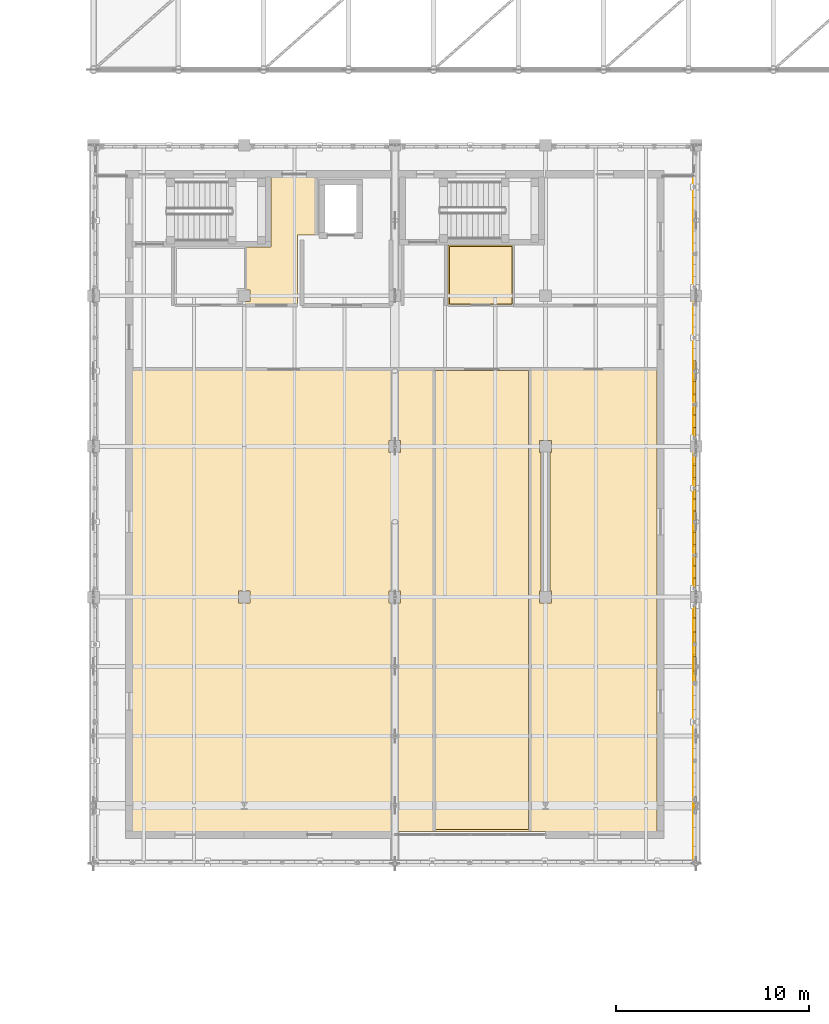
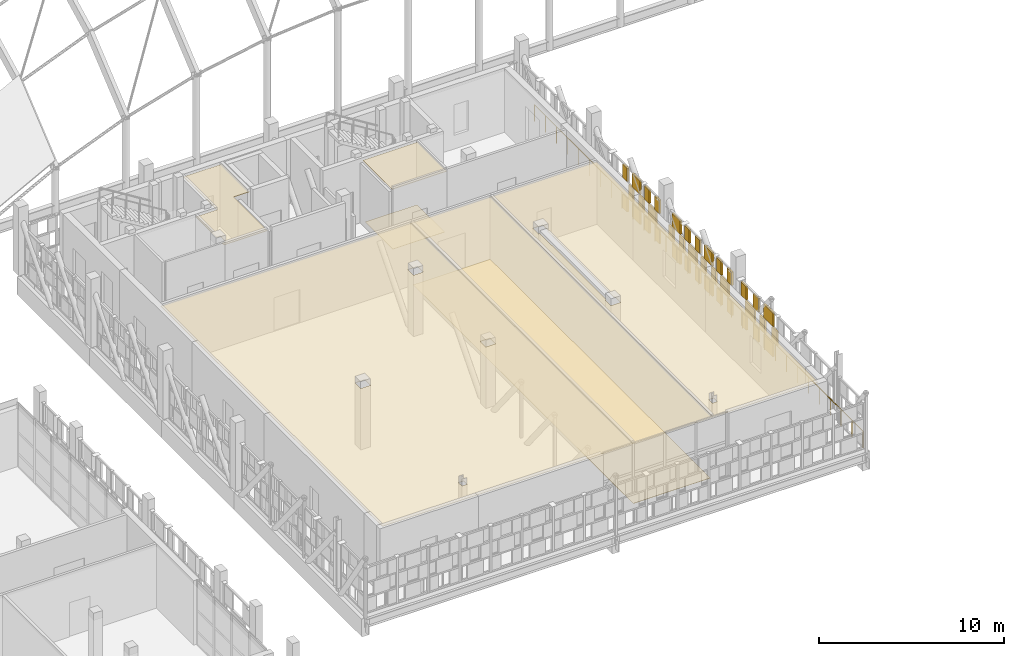
# One storey, part 110 of 119: 45 coverings, 1 railing.
"""IFC4 building model written with IfcOpenShell, lengths in metres."""

from ifc_helpers import new_model, si_unit, direction, frame, origin, origin_2d, place, context, subcontext, project, spatial, polyline, rectangle, circle, outline, extrude, material, layer, layer_set, type_object, element, save


model = new_model("IFC4")

# Units and contexts
model_context = context("Model", 3, precision=1e-05, world=origin(), true_north=direction((0.0, 1.0)))
body_context = subcontext(model_context, "Body", "Model", "MODEL_VIEW")
ifc_project = project(units=[si_unit("LENGTHUNIT", "METRE"), si_unit("AREAUNIT", "SQUARE_METRE"), si_unit("VOLUMEUNIT", "CUBIC_METRE"), si_unit("PLANEANGLEUNIT", "RADIAN"), si_unit("MASSUNIT", "GRAM", prefix="KILO")], contexts=[model_context])

# Site, building, storey
site_placement = place(None, origin())
site = spatial("IfcSite", under=ifc_project, at=site_placement, CompositionType="ELEMENT")
building_placement = place(site_placement, origin())
building = spatial("IfcBuilding", under=site, at=building_placement, Name="Celorna Specialist Clinic", CompositionType="ELEMENT")
storey_placement = place(building_placement, frame((0.0, 0.0, 9.60009765625)))
storey = spatial("IfcBuildingStorey", under=building, at=storey_placement, Name="L02", CompositionType="ELEMENT", Elevation=9.60009765625)

# Railing
ifc_material_1 = material(Name="Stainless steel and laminated glass balustrade", Category="steel")
railing_type = type_object("IfcRailingType", Name="BL-01", PredefinedType="BALUSTRADE", material=ifc_material_1)
railing_placement = place(storey_placement, frame((85.679931640625, 41.280029296875, 0.0)))
element("IfcRailing", 1, at=railing_placement, inside=storey, type_object=railing_type, Name="Lecture Wing Cantilever Veranda L02 perimeter balustrade 7", PredefinedType="BALUSTRADE", context=body_context, shape_type="SweptSolid", body=[
    extrude(circle(Radius=0.02392578125, at=origin_2d()), frame((0.0, 0.0, 1.09619140625), z_axis=(0.0, -1.0, 0.0), x_axis=(1.0, 0.0, 0.0)), (0.0, 0.0, 1.0), 35.4599609375),
    extrude(circle(Radius=0.02099609375, at=origin_2d()), origin(), (0.0, 0.0, 1.0), 1.072021484375),
    extrude(circle(Radius=0.02099609375, at=origin_2d()), frame((0.0, -1.181884765625, 0.0)), (0.0, 0.0, 1.0), 1.072021484375),
    extrude(circle(Radius=0.02099609375, at=origin_2d()), frame((0.0, -2.364013671875, 0.0)), (0.0, 0.0, 1.0), 1.072021484375),
    extrude(circle(Radius=0.02099609375, at=origin_2d()), frame((0.0, -3.5458984375, 0.0)), (0.0, 0.0, 1.0), 1.072021484375),
    extrude(circle(Radius=0.02099609375, at=origin_2d()), frame((0.0, -4.72802734375, 0.0)), (0.0, 0.0, 1.0), 1.072021484375),
    extrude(circle(Radius=0.02099609375, at=origin_2d()), frame((0.0, -5.909912109375, 0.0)), (0.0, 0.0, 1.0), 1.072021484375),
    extrude(circle(Radius=0.02099609375, at=origin_2d()), frame((0.0, -7.092041015625, 0.0)), (0.0, 0.0, 1.0), 1.072021484375),
    extrude(circle(Radius=0.02099609375, at=origin_2d()), frame((0.0, -8.27392578125, 0.0)), (0.0, 0.0, 1.0), 1.072021484375),
    extrude(circle(Radius=0.02099609375, at=origin_2d()), frame((0.0, -9.4560546875, 0.0)), (0.0, 0.0, 1.0), 1.072021484375),
    extrude(circle(Radius=0.02099609375, at=origin_2d()), frame((0.0, -10.637939453125, 0.0)), (0.0, 0.0, 1.0), 1.072021484375),
    extrude(circle(Radius=0.02099609375, at=origin_2d()), frame((0.0, -11.820068359375, 0.0)), (0.0, 0.0, 1.0), 1.072021484375),
    extrude(circle(Radius=0.02099609375, at=origin_2d()), frame((0.0, -13.001953125, 0.0)), (0.0, 0.0, 1.0), 1.072021484375),
    extrude(circle(Radius=0.02099609375, at=origin_2d()), frame((0.0, -14.18408203125, 0.0)), (0.0, 0.0, 1.0), 1.072021484375),
    extrude(circle(Radius=0.02099609375, at=origin_2d()), frame((0.0, -15.365966796875, 0.0)), (0.0, 0.0, 1.0), 1.072021484375),
    extrude(circle(Radius=0.02099609375, at=origin_2d()), frame((0.0, -16.548095703125, 0.0)), (0.0, 0.0, 1.0), 1.072021484375),
    extrude(circle(Radius=0.02099609375, at=origin_2d()), frame((0.0, -17.72998046875, 0.0)), (0.0, 0.0, 1.0), 1.072021484375),
    extrude(circle(Radius=0.02099609375, at=origin_2d()), frame((0.0, -18.911865234375, 0.0)), (0.0, 0.0, 1.0), 1.072021484375),
    extrude(circle(Radius=0.02099609375, at=origin_2d()), frame((0.0, -20.093994140625, 0.0)), (0.0, 0.0, 1.0), 1.072021484375),
    extrude(circle(Radius=0.02099609375, at=origin_2d()), frame((0.0, -21.27587890625, 0.0)), (0.0, 0.0, 1.0), 1.072021484375),
    extrude(circle(Radius=0.02099609375, at=origin_2d()), frame((0.0, -22.4580078125, 0.0)), (0.0, 0.0, 1.0), 1.072021484375),
    extrude(circle(Radius=0.02099609375, at=origin_2d()), frame((0.0, -23.639892578125, 0.0)), (0.0, 0.0, 1.0), 1.072021484375),
    extrude(circle(Radius=0.02099609375, at=origin_2d()), frame((0.0, -24.822021484375, 0.0)), (0.0, 0.0, 1.0), 1.072021484375),
    extrude(circle(Radius=0.02099609375, at=origin_2d()), frame((0.0, -26.00390625, 0.0)), (0.0, 0.0, 1.0), 1.072021484375),
    extrude(circle(Radius=0.02099609375, at=origin_2d()), frame((0.0, -27.18603515625, 0.0)), (0.0, 0.0, 1.0), 1.072021484375),
    extrude(circle(Radius=0.02099609375, at=origin_2d()), frame((0.0, -28.367919921875, 0.0)), (0.0, 0.0, 1.0), 1.072021484375),
    extrude(circle(Radius=0.02099609375, at=origin_2d()), frame((0.0, -29.550048828125, 0.0)), (0.0, 0.0, 1.0), 1.072021484375),
    extrude(circle(Radius=0.02099609375, at=origin_2d()), frame((0.0, -30.73193359375, 0.0)), (0.0, 0.0, 1.0), 1.072021484375),
    extrude(circle(Radius=0.02099609375, at=origin_2d()), frame((0.0, -31.9140625, 0.0)), (0.0, 0.0, 1.0), 1.072021484375),
    extrude(circle(Radius=0.02099609375, at=origin_2d()), frame((0.0, -33.095947265625, 0.0)), (0.0, 0.0, 1.0), 1.072021484375),
    extrude(circle(Radius=0.02099609375, at=origin_2d()), frame((0.0, -34.278076171875, 0.0)), (0.0, 0.0, 1.0), 1.072021484375),
    extrude(circle(Radius=0.02099609375, at=origin_2d()), frame((0.0, -35.4599609375, 0.0)), (0.0, 0.0, 1.0), 1.072021484375),
])

# Coverings
ifc_material_2 = material(Name="Hygienic acoustic mineral-fibre ceiling")
ifc_layer_1 = layer(ifc_material_2, 0.030029296875, Name="Hygienic acoustic mineral-fibre ceiling")
ifc_layer_set_1 = layer_set([ifc_layer_1], Name="Hygienic acoustic mineral-fibre ceiling")
covering_type_1 = type_object("IfcCoveringType", Name="CE-01", PredefinedType="CEILING", material=ifc_layer_set_1)
covering_1_placement = place(storey_placement, frame((0.0, 0.0, 4.02978515625)))
element("IfcCovering", 2, at=covering_1_placement, inside=storey, type_object=covering_type_1, Name="Acoustic ceiling L02-065", PredefinedType="CEILING", context=body_context, shape_type="SweptSolid", body=[
    extrude(outline(polyline([(72.2548828125, 31.31494140625), (72.2548828125, 7.375), (56.625, 7.375), (56.625, 31.31494140625), (72.2548828125, 31.31494140625)]), holes=[polyline([(62.554931640625, 8.885009765625), (62.2451171875, 8.885009765625), (62.2451171875, 8.514892578125), (62.554931640625, 8.514892578125), (62.554931640625, 8.885009765625)]), polyline([(62.705078125, 19.804931640625), (62.094970703125, 19.804931640625), (62.094970703125, 19.195068359375), (62.705078125, 19.195068359375), (62.705078125, 19.804931640625)]), polyline([(70.5048828125, 19.804931640625), (69.89501953125, 19.804931640625), (69.89501953125, 19.195068359375), (70.5048828125, 19.195068359375), (70.5048828125, 19.804931640625)]), polyline([(70.5048828125, 27.60498046875), (69.89501953125, 27.60498046875), (69.89501953125, 26.9951171875), (70.5048828125, 26.9951171875), (70.5048828125, 27.60498046875)])]), origin(), (0.0, 0.0, 1.0), 0.030029296875),
])
covering_2_placement = place(storey_placement, frame((0.0, 0.0, 4.02978515625)))
element("IfcCovering", 3, at=covering_2_placement, inside=storey, type_object=covering_type_1, Name="Acoustic ceiling L02-066", PredefinedType="CEILING", context=body_context, shape_type="SweptSolid", body=[
    extrude(outline(polyline([(77.205078125, 31.31494140625), (77.205078125, 7.375), (72.22509765625, 7.375), (72.22509765625, 31.31494140625), (77.205078125, 31.31494140625)])), origin(), (0.0, 0.0, 1.0), 0.030029296875),
])
covering_3_placement = place(storey_placement, frame((0.0, 0.0, 4.02978515625)))
element("IfcCovering", 4, at=covering_3_placement, inside=storey, type_object=covering_type_1, Name="Acoustic ceiling L02-067", PredefinedType="CEILING", context=body_context, shape_type="SweptSolid", body=[
    extrude(outline(polyline([(83.77490234375, 31.31494140625), (83.77490234375, 7.375), (77.175048828125, 7.375), (77.175048828125, 31.31494140625), (83.77490234375, 31.31494140625)]), holes=[polyline([(78.235107421875, 26.9951171875), (78.304931640625, 26.9951171875), (78.304931640625, 27.60498046875), (77.695068359375, 27.60498046875), (77.695068359375, 26.9951171875), (77.764892578125, 26.9951171875), (77.764892578125, 19.804931640625), (77.695068359375, 19.804931640625), (77.695068359375, 19.195068359375), (78.304931640625, 19.195068359375), (78.304931640625, 19.804931640625), (78.235107421875, 19.804931640625), (78.235107421875, 26.9951171875)]), polyline([(78.155029296875, 8.885009765625), (77.844970703125, 8.885009765625), (77.844970703125, 8.514892578125), (78.155029296875, 8.514892578125), (78.155029296875, 8.885009765625)])]), origin(), (0.0, 0.0, 1.0), 0.030029296875),
])
covering_4_placement = place(storey_placement, frame((0.0, 0.0, 4.02978515625)))
element("IfcCovering", 5, at=covering_4_placement, inside=storey, type_object=covering_type_1, Name="Acoustic ceiling L02-069", PredefinedType="CEILING", context=body_context, shape_type="SweptSolid", body=[
    extrude(outline(polyline([(65.1650390625, 38.235107421875), (65.1650390625, 34.5849609375), (62.47509765625, 34.5849609375), (62.47509765625, 34.794921875), (62.705078125, 34.794921875), (62.705078125, 35.405029296875), (62.47509765625, 35.405029296875), (62.47509765625, 37.635009765625), (63.784912109375, 37.635009765625), (63.784912109375, 41.22509765625), (66.155029296875, 41.22509765625), (66.155029296875, 38.235107421875), (65.1650390625, 38.235107421875)])), origin(), (0.0, 0.0, 1.0), 0.030029296875),
])
covering_5_placement = place(storey_placement, frame((0.0, 0.0, 4.02978515625)))
element("IfcCovering", 6, at=covering_5_placement, inside=storey, type_object=covering_type_1, Name="Acoustic ceiling L02-070", PredefinedType="CEILING", context=body_context, shape_type="SweptSolid", body=[
    extrude(outline(polyline([(72.945068359375, 37.735107421875), (76.35498046875, 37.735107421875), (76.35498046875, 34.5849609375), (72.945068359375, 34.5849609375), (72.945068359375, 37.735107421875)])), origin(), (0.0, 0.0, 1.0), 0.030029296875),
])
ifc_material_3 = material(Name="Perforated terracotta brick weave cladding", Category="masonry")
ifc_layer_2 = layer(ifc_material_3, 0.114990234375, Name="Perforated terracotta brick weave cladding")
ifc_layer_set_2 = layer_set([ifc_layer_2], Name="Perforated terracotta brick weave cladding")
covering_type_2 = type_object("IfcCoveringType", Name="CL-02", PredefinedType="CLADDING", material=ifc_layer_set_2)
covering_6_placement = place(storey_placement, frame((85.72998046875, 16.048095703125, 0.099609375), z_axis=(0.0, 0.0, 1.0), x_axis=(0.0, 1.0, 0.0)))
element("IfcCovering", 7, at=covering_6_placement, inside=storey, type_object=covering_type_2, Name="Woven perforated terracotta brick course #328", PredefinedType="CLADDING", context=body_context, shape_type="SweptSolid", body=[
    extrude(rectangle(XDim=1.01953125, YDim=0.114990234375, at=origin_2d()), origin(), (0.0, 0.0, 1.0), 0.893310546875),
])
for number, where, z_axis, x_axis, name in (
    (8, (85.72998046875, 15.391845703125, 1.09326171875), (0.0, 0.0, 1.0), (0.0, 1.0, 0.0), "Woven perforated terracotta brick course #329"),
    (9, (85.72998046875, 16.7041015625, 1.09326171875), (0.0, 0.0, 1.0), (0.0, 1.0, 0.0), "Woven perforated terracotta brick course #330"),
):
    element("IfcCovering", number, at=place(storey_placement, frame(where, z_axis=z_axis, x_axis=x_axis)), inside=storey, type_object=covering_type_2, Name=name, PredefinedType="CLADDING", context=body_context, shape_type="SweptSolid", body=[
        extrude(rectangle(XDim=0.57568359375, YDim=0.114990234375, at=origin_2d()), origin(), (0.0, 0.0, 1.0), 0.893310546875),
    ])
covering_7_placement = place(storey_placement, frame((85.72998046875, 16.048095703125, 2.08642578125), z_axis=(0.0, 0.0, 1.0), x_axis=(0.0, 1.0, 0.0)))
element("IfcCovering", 10, at=covering_7_placement, inside=storey, type_object=covering_type_2, Name="Woven perforated terracotta brick course #331", PredefinedType="CLADDING", context=body_context, shape_type="SweptSolid", body=[
    extrude(rectangle(XDim=1.01953125, YDim=0.114990234375, at=origin_2d()), origin(), (0.0, 0.0, 1.0), 0.893310546875),
])
for number, where, z_axis, x_axis, name in (
    (11, (85.72998046875, 17.39990234375, 0.099609375), (0.0, 0.0, 1.0), (0.0, 1.0, 0.0), "Woven perforated terracotta brick course #332"),
    (12, (85.72998046875, 18.712158203125, 0.099609375), (0.0, 0.0, 1.0), (0.0, 1.0, 0.0), "Woven perforated terracotta brick course #333"),
):
    element("IfcCovering", number, at=place(storey_placement, frame(where, z_axis=z_axis, x_axis=x_axis)), inside=storey, type_object=covering_type_2, Name=name, PredefinedType="CLADDING", context=body_context, shape_type="SweptSolid", body=[
        extrude(rectangle(XDim=0.57568359375, YDim=0.114990234375, at=origin_2d()), origin(), (0.0, 0.0, 1.0), 0.893310546875),
    ])
covering_8_placement = place(storey_placement, frame((85.72998046875, 18.055908203125, 1.09326171875), z_axis=(0.0, 0.0, 1.0), x_axis=(0.0, 1.0, 0.0)))
element("IfcCovering", 13, at=covering_8_placement, inside=storey, type_object=covering_type_2, Name="Woven perforated terracotta brick course #334", PredefinedType="CLADDING", context=body_context, shape_type="SweptSolid", body=[
    extrude(rectangle(XDim=1.01953125, YDim=0.114990234375, at=origin_2d()), origin(), (0.0, 0.0, 1.0), 0.893310546875),
])
for number, where, z_axis, x_axis, name in (
    (14, (85.72998046875, 17.39990234375, 2.08642578125), (0.0, 0.0, 1.0), (0.0, 1.0, 0.0), "Woven perforated terracotta brick course #335"),
    (15, (85.72998046875, 18.712158203125, 2.08642578125), (0.0, 0.0, 1.0), (0.0, 1.0, 0.0), "Woven perforated terracotta brick course #336"),
):
    element("IfcCovering", number, at=place(storey_placement, frame(where, z_axis=z_axis, x_axis=x_axis)), inside=storey, type_object=covering_type_2, Name=name, PredefinedType="CLADDING", context=body_context, shape_type="SweptSolid", body=[
        extrude(rectangle(XDim=0.57568359375, YDim=0.114990234375, at=origin_2d()), origin(), (0.0, 0.0, 1.0), 0.893310546875),
    ])
for number, where, z_axis, x_axis, name in (
    (16, (85.72998046875, 20.24560546875, 0.099609375), (0.0, 0.0, 1.0), (0.0, 1.0, 0.0), "Woven perforated terracotta brick course #337"),
    (17, (85.72998046875, 21.364501953125, 0.099609375), (0.0, 0.0, 1.0), (0.0, 1.0, 0.0), "Woven perforated terracotta brick course #338"),
):
    element("IfcCovering", number, at=place(storey_placement, frame(where, z_axis=z_axis, x_axis=x_axis)), inside=storey, type_object=covering_type_2, Name=name, PredefinedType="CLADDING", context=body_context, shape_type="SweptSolid", body=[
        extrude(rectangle(XDim=0.490966796875, YDim=0.114990234375, at=origin_2d()), origin(), (0.0, 0.0, 1.0), 0.893310546875),
    ])
covering_9_placement = place(storey_placement, frame((85.72998046875, 20.804931640625, 1.09326171875), z_axis=(0.0, 0.0, 1.0), x_axis=(0.0, 1.0, 0.0)))
element("IfcCovering", 18, at=covering_9_placement, inside=storey, type_object=covering_type_2, Name="Woven perforated terracotta brick course #339", PredefinedType="CLADDING", context=body_context, shape_type="SweptSolid", body=[
    extrude(rectangle(XDim=0.869384765625, YDim=0.114990234375, at=origin_2d()), origin(), (0.0, 0.0, 1.0), 0.893310546875),
])
for number, where, z_axis, x_axis, name in (
    (19, (85.72998046875, 20.24560546875, 2.08642578125), (0.0, 0.0, 1.0), (0.0, 1.0, 0.0), "Woven perforated terracotta brick course #340"),
    (20, (85.72998046875, 21.364501953125, 2.08642578125), (0.0, 0.0, 1.0), (0.0, 1.0, 0.0), "Woven perforated terracotta brick course #341"),
):
    element("IfcCovering", number, at=place(storey_placement, frame(where, z_axis=z_axis, x_axis=x_axis)), inside=storey, type_object=covering_type_2, Name=name, PredefinedType="CLADDING", context=body_context, shape_type="SweptSolid", body=[
        extrude(rectangle(XDim=0.490966796875, YDim=0.114990234375, at=origin_2d()), origin(), (0.0, 0.0, 1.0), 0.893310546875),
    ])
covering_10_placement = place(storey_placement, frame((85.72998046875, 22.534912109375, 0.099609375), z_axis=(0.0, 0.0, 1.0), x_axis=(0.0, 1.0, 0.0)))
element("IfcCovering", 21, at=covering_10_placement, inside=storey, type_object=covering_type_2, Name="Woven perforated terracotta brick course #342", PredefinedType="CLADDING", context=body_context, shape_type="SweptSolid", body=[
    extrude(rectangle(XDim=0.869384765625, YDim=0.114990234375, at=origin_2d()), origin(), (0.0, 0.0, 1.0), 0.893310546875),
])
for number, where, z_axis, x_axis, name in (
    (22, (85.72998046875, 21.9755859375, 1.09326171875), (0.0, 0.0, 1.0), (0.0, 1.0, 0.0), "Woven perforated terracotta brick course #343"),
    (23, (85.72998046875, 23.094482421875, 1.09326171875), (0.0, 0.0, 1.0), (0.0, 1.0, 0.0), "Woven perforated terracotta brick course #344"),
):
    element("IfcCovering", number, at=place(storey_placement, frame(where, z_axis=z_axis, x_axis=x_axis)), inside=storey, type_object=covering_type_2, Name=name, PredefinedType="CLADDING", context=body_context, shape_type="SweptSolid", body=[
        extrude(rectangle(XDim=0.490966796875, YDim=0.114990234375, at=origin_2d()), origin(), (0.0, 0.0, 1.0), 0.893310546875),
    ])
covering_11_placement = place(storey_placement, frame((85.72998046875, 22.534912109375, 2.08642578125), z_axis=(0.0, 0.0, 1.0), x_axis=(0.0, 1.0, 0.0)))
element("IfcCovering", 24, at=covering_11_placement, inside=storey, type_object=covering_type_2, Name="Woven perforated terracotta brick course #345", PredefinedType="CLADDING", context=body_context, shape_type="SweptSolid", body=[
    extrude(rectangle(XDim=0.869384765625, YDim=0.114990234375, at=origin_2d()), origin(), (0.0, 0.0, 1.0), 0.893310546875),
])
for number, where, z_axis, x_axis, name in (
    (25, (85.72998046875, 23.70556640625, 0.099609375), (0.0, 0.0, 1.0), (0.0, 1.0, 0.0), "Woven perforated terracotta brick course #346"),
    (26, (85.72998046875, 24.824462890625, 0.099609375), (0.0, 0.0, 1.0), (0.0, 1.0, 0.0), "Woven perforated terracotta brick course #347"),
):
    element("IfcCovering", number, at=place(storey_placement, frame(where, z_axis=z_axis, x_axis=x_axis)), inside=storey, type_object=covering_type_2, Name=name, PredefinedType="CLADDING", context=body_context, shape_type="SweptSolid", body=[
        extrude(rectangle(XDim=0.490966796875, YDim=0.114990234375, at=origin_2d()), origin(), (0.0, 0.0, 1.0), 0.893310546875),
    ])
covering_12_placement = place(storey_placement, frame((85.72998046875, 24.264892578125, 1.09326171875), z_axis=(0.0, 0.0, 1.0), x_axis=(0.0, 1.0, 0.0)))
element("IfcCovering", 27, at=covering_12_placement, inside=storey, type_object=covering_type_2, Name="Woven perforated terracotta brick course #348", PredefinedType="CLADDING", context=body_context, shape_type="SweptSolid", body=[
    extrude(rectangle(XDim=0.869384765625, YDim=0.114990234375, at=origin_2d()), origin(), (0.0, 0.0, 1.0), 0.893310546875),
])
for number, where, z_axis, x_axis, name in (
    (28, (85.72998046875, 23.70556640625, 2.08642578125), (0.0, 0.0, 1.0), (0.0, 1.0, 0.0), "Woven perforated terracotta brick course #349"),
    (29, (85.72998046875, 24.824462890625, 2.08642578125), (0.0, 0.0, 1.0), (0.0, 1.0, 0.0), "Woven perforated terracotta brick course #350"),
):
    element("IfcCovering", number, at=place(storey_placement, frame(where, z_axis=z_axis, x_axis=x_axis)), inside=storey, type_object=covering_type_2, Name=name, PredefinedType="CLADDING", context=body_context, shape_type="SweptSolid", body=[
        extrude(rectangle(XDim=0.490966796875, YDim=0.114990234375, at=origin_2d()), origin(), (0.0, 0.0, 1.0), 0.893310546875),
    ])
covering_13_placement = place(storey_placement, frame((85.72998046875, 25.9951171875, 0.099609375), z_axis=(0.0, 0.0, 1.0), x_axis=(0.0, 1.0, 0.0)))
element("IfcCovering", 30, at=covering_13_placement, inside=storey, type_object=covering_type_2, Name="Woven perforated terracotta brick course #351", PredefinedType="CLADDING", context=body_context, shape_type="SweptSolid", body=[
    extrude(rectangle(XDim=0.869384765625, YDim=0.114990234375, at=origin_2d()), origin(), (0.0, 0.0, 1.0), 0.893310546875),
])
for number, where, z_axis, x_axis, name in (
    (31, (85.72998046875, 25.435546875, 1.09326171875), (0.0, 0.0, 1.0), (0.0, 1.0, 0.0), "Woven perforated terracotta brick course #352"),
    (32, (85.72998046875, 26.554443359375, 1.09326171875), (0.0, 0.0, 1.0), (0.0, 1.0, 0.0), "Woven perforated terracotta brick course #353"),
):
    element("IfcCovering", number, at=place(storey_placement, frame(where, z_axis=z_axis, x_axis=x_axis)), inside=storey, type_object=covering_type_2, Name=name, PredefinedType="CLADDING", context=body_context, shape_type="SweptSolid", body=[
        extrude(rectangle(XDim=0.490966796875, YDim=0.114990234375, at=origin_2d()), origin(), (0.0, 0.0, 1.0), 0.893310546875),
    ])
covering_14_placement = place(storey_placement, frame((85.72998046875, 25.9951171875, 2.08642578125), z_axis=(0.0, 0.0, 1.0), x_axis=(0.0, 1.0, 0.0)))
element("IfcCovering", 33, at=covering_14_placement, inside=storey, type_object=covering_type_2, Name="Woven perforated terracotta brick course #354", PredefinedType="CLADDING", context=body_context, shape_type="SweptSolid", body=[
    extrude(rectangle(XDim=0.869384765625, YDim=0.114990234375, at=origin_2d()), origin(), (0.0, 0.0, 1.0), 0.893310546875),
])
for number, where, z_axis, x_axis, name in (
    (34, (85.72998046875, 28.045654296875, 0.099609375), (0.0, 0.0, 1.0), (0.0, 1.0, 0.0), "Woven perforated terracotta brick course #355"),
    (35, (85.72998046875, 29.16455078125, 0.099609375), (0.0, 0.0, 1.0), (0.0, 1.0, 0.0), "Woven perforated terracotta brick course #356"),
):
    element("IfcCovering", number, at=place(storey_placement, frame(where, z_axis=z_axis, x_axis=x_axis)), inside=storey, type_object=covering_type_2, Name=name, PredefinedType="CLADDING", context=body_context, shape_type="SweptSolid", body=[
        extrude(rectangle(XDim=0.4912109375, YDim=0.114990234375, at=origin_2d()), origin(), (0.0, 0.0, 1.0), 0.893310546875),
    ])
covering_15_placement = place(storey_placement, frame((85.72998046875, 28.60498046875, 1.09326171875), z_axis=(0.0, 0.0, 1.0), x_axis=(0.0, 1.0, 0.0)))
element("IfcCovering", 36, at=covering_15_placement, inside=storey, type_object=covering_type_2, Name="Woven perforated terracotta brick course #357", PredefinedType="CLADDING", context=body_context, shape_type="SweptSolid", body=[
    extrude(rectangle(XDim=0.869384765625, YDim=0.114990234375, at=origin_2d()), origin(), (0.0, 0.0, 1.0), 0.893310546875),
])
for number, where, z_axis, x_axis, name in (
    (37, (85.72998046875, 28.045654296875, 2.08642578125), (0.0, 0.0, 1.0), (0.0, 1.0, 0.0), "Woven perforated terracotta brick course #358"),
    (38, (85.72998046875, 29.16455078125, 2.08642578125), (0.0, 0.0, 1.0), (0.0, 1.0, 0.0), "Woven perforated terracotta brick course #359"),
):
    element("IfcCovering", number, at=place(storey_placement, frame(where, z_axis=z_axis, x_axis=x_axis)), inside=storey, type_object=covering_type_2, Name=name, PredefinedType="CLADDING", context=body_context, shape_type="SweptSolid", body=[
        extrude(rectangle(XDim=0.4912109375, YDim=0.114990234375, at=origin_2d()), origin(), (0.0, 0.0, 1.0), 0.893310546875),
    ])
covering_16_placement = place(storey_placement, frame((85.72998046875, 30.3349609375, 0.099609375), z_axis=(0.0, 0.0, 1.0), x_axis=(0.0, 1.0, 0.0)))
element("IfcCovering", 39, at=covering_16_placement, inside=storey, type_object=covering_type_2, Name="Woven perforated terracotta brick course #360", PredefinedType="CLADDING", context=body_context, shape_type="SweptSolid", body=[
    extrude(rectangle(XDim=0.869384765625, YDim=0.114990234375, at=origin_2d()), origin(), (0.0, 0.0, 1.0), 0.893310546875),
])
for number, where, z_axis, x_axis, name in (
    (40, (85.72998046875, 29.775634765625, 1.09326171875), (0.0, 0.0, 1.0), (0.0, 1.0, 0.0), "Woven perforated terracotta brick course #361"),
    (41, (85.72998046875, 30.89453125, 1.09326171875), (0.0, 0.0, 1.0), (0.0, 1.0, 0.0), "Woven perforated terracotta brick course #362"),
):
    element("IfcCovering", number, at=place(storey_placement, frame(where, z_axis=z_axis, x_axis=x_axis)), inside=storey, type_object=covering_type_2, Name=name, PredefinedType="CLADDING", context=body_context, shape_type="SweptSolid", body=[
        extrude(rectangle(XDim=0.4912109375, YDim=0.114990234375, at=origin_2d()), origin(), (0.0, 0.0, 1.0), 0.893310546875),
    ])
covering_17_placement = place(storey_placement, frame((85.72998046875, 30.3349609375, 2.08642578125), z_axis=(0.0, 0.0, 1.0), x_axis=(0.0, 1.0, 0.0)))
element("IfcCovering", 42, at=covering_17_placement, inside=storey, type_object=covering_type_2, Name="Woven perforated terracotta brick course #363", PredefinedType="CLADDING", context=body_context, shape_type="SweptSolid", body=[
    extrude(rectangle(XDim=0.869384765625, YDim=0.114990234375, at=origin_2d()), origin(), (0.0, 0.0, 1.0), 0.893310546875),
])
for number, where, z_axis, x_axis, name in (
    (43, (85.72998046875, 31.505615234375, 0.099609375), (0.0, 0.0, 1.0), (0.0, 1.0, 0.0), "Woven perforated terracotta brick course #364"),
    (44, (85.72998046875, 31.505615234375, 2.08642578125), (0.0, 0.0, 1.0), (0.0, 1.0, 0.0), "Woven perforated terracotta brick course #367"),
):
    element("IfcCovering", number, at=place(storey_placement, frame(where, z_axis=z_axis, x_axis=x_axis)), inside=storey, type_object=covering_type_2, Name=name, PredefinedType="CLADDING", context=body_context, shape_type="SweptSolid", body=[
        extrude(rectangle(XDim=0.4912109375, YDim=0.114990234375, at=origin_2d()), origin(), (0.0, 0.0, 1.0), 0.893310546875),
    ])
ifc_material_4 = material(Name="Seamless antimicrobial clinical vinyl and Lioz terrazzo flooring")
ifc_layer_3 = layer(ifc_material_4, 0.02001953125, Name="Seamless antimicrobial clinical vinyl and Lioz terrazzo flooring")
ifc_layer_set_3 = layer_set([ifc_layer_3], Name="Seamless antimicrobial clinical vinyl and Lioz terrazzo flooring")
covering_type_3 = type_object("IfcCoveringType", Name="FL-01", PredefinedType="FLOORING", material=ifc_layer_set_3)
covering_18_placement = place(storey_placement, origin())
element("IfcCovering", 45, at=covering_18_placement, inside=storey, type_object=covering_type_3, Name="Antimicrobial clinical flooring L02-066", PredefinedType="FLOORING", context=body_context, shape_type="SweptSolid", body=[
    extrude(outline(polyline([(72.31494140625, 31.22509765625), (77.114990234375, 31.22509765625), (77.114990234375, 7.465087890625), (72.31494140625, 7.465087890625), (72.31494140625, 31.22509765625)])), origin(), (0.0, 0.0, 1.0), 0.02001953125),
])
covering_19_placement = place(storey_placement, origin())
element("IfcCovering", 46, at=covering_19_placement, inside=storey, type_object=covering_type_3, Name="Antimicrobial clinical flooring L02-070", PredefinedType="FLOORING", context=body_context, shape_type="SweptSolid", body=[
    extrude(outline(polyline([(73.034912109375, 34.675048828125), (73.034912109375, 37.64501953125), (76.264892578125, 37.64501953125), (76.264892578125, 34.675048828125), (73.034912109375, 34.675048828125)])), origin(), (0.0, 0.0, 1.0), 0.02001953125),
])

save(model, "model.ifc")
